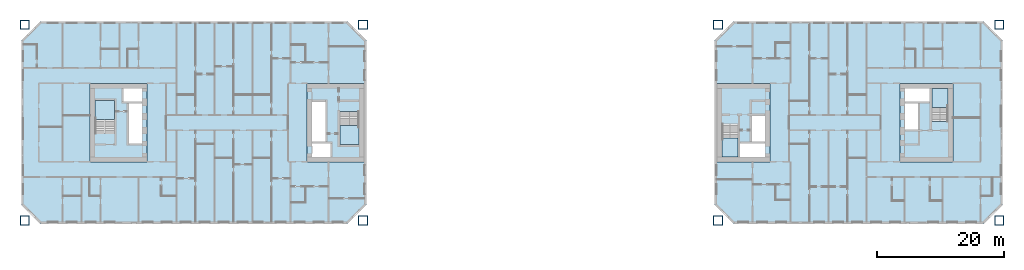
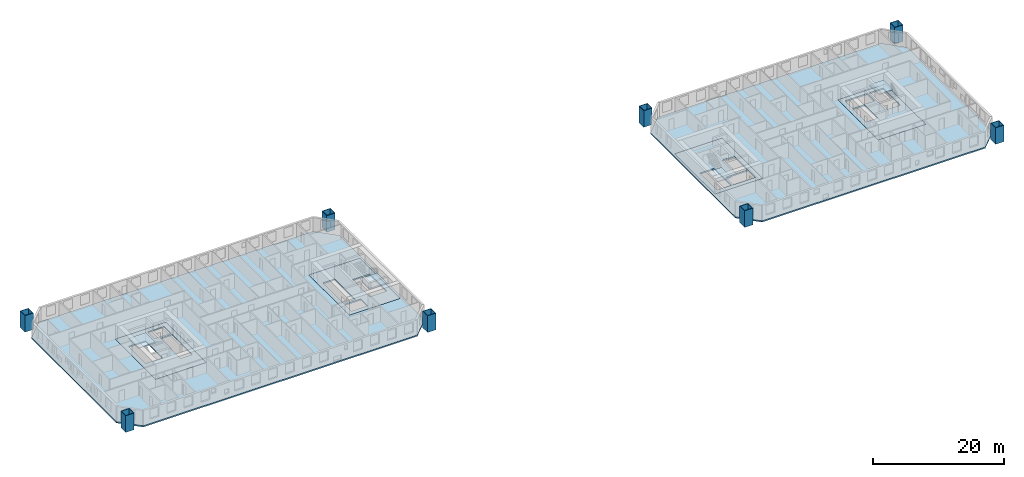
# One storey, part 1 of 17: 10 slabs, 8 columns, 4 elements without a shape of their own.
"""IFC4 building model written with IfcOpenShell, lengths in metres."""

import ifcopenshell
import ifcopenshell.guid

model = None  # the IFC model being written
_history = None  # IfcOwnerHistory: only IFC2X3 demands one
_inside = {}  # id of a spatial element -> (the spatial element, [elements in it])
_under = {}  # id of a project, library or spatial element -> (it, [spatial elements below it])
_declared = {}  # id of a project -> (the project, [libraries it declares])
_typed = {}  # id of a type object -> (the type object, [elements of that type])
_made_of = {}  # id of a material, layer set ... -> (it, [elements and type objects made of it])


def new_model(schema):
    """Start an empty IFC model of exactly this schema.

    Asked for "IFC4X3", IfcOpenShell would pick the latest addendum, in which some entities
    have other attributes; the version numbers below select the first issue.
    IFC2X3 requires an IfcOwnerHistory on every rooted entity: one is made here for all.
    """
    global model, _history
    if schema == "IFC4X3":
        model = ifcopenshell.file(schema_version=(4, 3, 0, 0))
    else:
        model = ifcopenshell.file(schema=schema)
    _inside.clear()
    _under.clear()
    _declared.clear()
    _typed.clear()
    _made_of.clear()
    _history = None
    if model.schema == "IFC2X3":
        org = make("IfcOrganization", Name="unknown")
        user = make(
            "IfcPersonAndOrganization",
            ThePerson=make("IfcPerson", FamilyName="unknown"),
            TheOrganization=org,
        )
        app = make(
            "IfcApplication",
            ApplicationDeveloper=org,
            Version="unknown",
            ApplicationFullName="unknown",
            ApplicationIdentifier="unknown",
        )
        _history = make(
            "IfcOwnerHistory",
            OwningUser=user,
            OwningApplication=app,
            ChangeAction="ADDED",
            CreationDate=0,
        )
    return model


def make(cls, **values):
    """One entity of the class cls with the attributes given. An attribute that is None is left unset."""
    return model.create_entity(
        cls, **{name: value for name, value in values.items() if value is not None}
    )


def rooted(cls, **values):
    """An entity with a GlobalId (a new one), such as an element, a storey or a relation."""
    return make(cls, GlobalId=ifcopenshell.guid.new(), OwnerHistory=_history, **values)


def si_unit(unit_type, name, prefix=None):
    """IfcSIUnit, for example si_unit("LENGTHUNIT", "METRE", prefix="MILLI")."""
    return make("IfcSIUnit", UnitType=unit_type, Prefix=prefix, Name=name)


def assignment(units):
    """IfcUnitAssignment: the units of a project."""
    return None if units is None else make("IfcUnitAssignment", Units=units)


def point(xyz):
    """IfcCartesianPoint."""
    return None if xyz is None else make("IfcCartesianPoint", Coordinates=xyz)


def direction(xyz):
    """IfcDirection."""
    return None if xyz is None else make("IfcDirection", DirectionRatios=xyz)


def frame(location, z_axis=None, x_axis=None):
    """IfcAxis2Placement3D, a coordinate frame: its origin and axes. An axis left out is left unset."""
    return make(
        "IfcAxis2Placement3D",
        Location=point(location),
        Axis=direction(z_axis),
        RefDirection=direction(x_axis),
    )


def frame_2d(location, x_axis=None):
    """IfcAxis2Placement2D, a coordinate frame in the plane: its origin and x axis."""
    return make(
        "IfcAxis2Placement2D", Location=point(location), RefDirection=direction(x_axis)
    )


def origin():
    """The frame at (0, 0, 0) with its axes left unset."""
    return frame((0.0, 0.0, 0.0))


def origin_2d():
    """The frame at (0, 0) in the plane with its x axis left unset."""
    return frame_2d((0.0, 0.0))


def place(relative_to, where):
    """IfcLocalPlacement: puts the frame where relative to a parent placement (None: the world)."""
    return make(
        "IfcLocalPlacement", PlacementRelTo=relative_to, RelativePlacement=where
    )


def context(
    kind, dimensions, precision=None, world=None, true_north=None, identifier=None
):
    """IfcGeometricRepresentationContext, for example the 3D "Model" context."""
    return make(
        "IfcGeometricRepresentationContext",
        ContextIdentifier=identifier,
        ContextType=kind,
        CoordinateSpaceDimension=dimensions,
        Precision=precision,
        WorldCoordinateSystem=world,
        TrueNorth=true_north,
    )


def subcontext(parent, identifier, kind, view, scale=None):
    """IfcGeometricRepresentationSubContext, for example "Body" below "Model"."""
    return make(
        "IfcGeometricRepresentationSubContext",
        ContextIdentifier=identifier,
        ContextType=kind,
        ParentContext=parent,
        TargetScale=scale,
        TargetView=view,
    )


def project(units=None, contexts=None):
    """IfcProject with its units and contexts."""
    return rooted(
        "IfcProject",
        Name="project",
        RepresentationContexts=contexts,
        UnitsInContext=assignment(units),
    )


def spatial(cls, under=None, at=None, **own):
    """A site, building, storey or space (cls), placed at a placement, below another one or the project."""
    s = rooted(cls, ObjectPlacement=at, **own)
    if under is not None:
        _under.setdefault(under.id(), (under, []))[1].append(s)
    return s


def polyline(points):
    """IfcPolyline through the points."""
    return make("IfcPolyline", Points=[point(p) for p in points])


def profile(cls, at=None, kind="AREA", **sizes):
    """A parametric profile (cls). Its sizes go by their IFC names, for example OverallWidth=200.0."""
    return make(cls, ProfileType=kind, Position=at, **sizes)


def hollow_rectangle(**sizes):
    """IfcRectangleHollowProfileDef."""
    return profile("IfcRectangleHollowProfileDef", **sizes)


def outline(outer, holes=None, kind="AREA"):
    """IfcArbitraryClosedProfileDef: a profile drawn as a closed curve; with holes, ...WithVoids."""
    if holes is None:
        return make("IfcArbitraryClosedProfileDef", ProfileType=kind, OuterCurve=outer)
    return make(
        "IfcArbitraryProfileDefWithVoids",
        ProfileType=kind,
        OuterCurve=outer,
        InnerCurves=holes,
    )


def extrude(swept, where, along, depth):
    """IfcExtrudedAreaSolid: the profile swept, set in the frame where, extruded along a direction by depth."""
    return make(
        "IfcExtrudedAreaSolid",
        SweptArea=swept,
        Position=where,
        ExtrudedDirection=direction(along),
        Depth=depth,
    )


def shape(context_of_items, identifier, shape_type, items):
    """IfcShapeRepresentation: the items that make up one representation, for example the "Body"."""
    return make(
        "IfcShapeRepresentation",
        ContextOfItems=context_of_items,
        RepresentationIdentifier=identifier,
        RepresentationType=shape_type,
        Items=items,
    )


def material(Name=None, Category=None):
    """IfcMaterial."""
    return make("IfcMaterial", Name=Name, Category=Category)


def layer(
    of_material, thickness, ventilated=None, Name=None, Category=None, Priority=None
):
    """IfcMaterialLayer: one layer of a wall or slab, of a material (None: an air gap)."""
    return make(
        "IfcMaterialLayer",
        Material=of_material,
        LayerThickness=thickness,
        IsVentilated=ventilated,
        Name=Name,
        Category=Category,
        Priority=Priority,
    )


def layer_set(layers, Name=None):
    """IfcMaterialLayerSet."""
    return make("IfcMaterialLayerSet", MaterialLayers=layers, LayerSetName=Name)


def material_profile(
    of_material, cross_section, Name=None, Category=None, Priority=None
):
    """IfcMaterialProfile: a cross section and its material."""
    return make(
        "IfcMaterialProfile",
        Name=Name,
        Material=of_material,
        Profile=cross_section,
        Priority=Priority,
        Category=Category,
    )


def profile_set(profiles, Name=None, composite=None):
    """IfcMaterialProfileSet."""
    return make(
        "IfcMaterialProfileSet",
        Name=Name,
        MaterialProfiles=profiles,
        CompositeProfile=composite,
    )


def made_of(thing, what):
    """Note that an element or type object is made of a material, layer set ...; save() writes the relation."""
    if what is not None:
        _made_of.setdefault(what.id(), (what, []))[1].append(thing)
    return thing


def type_object(cls, material=None, **own):
    """A type object (cls), such as IfcWallType, which elements share."""
    return made_of(rooted(cls, **own), material)


def element(
    cls,
    number,
    at=None,
    inside=None,
    cuts=None,
    type_object=None,
    material=None,
    context=None,
    identifier="Body",
    shape_type=None,
    held_by="IfcProductDefinitionShape",
    body=None,
    shapes=None,
    **own,
):
    """One element of the class cls, such as IfcWall. Its Tag is "e" and its number.

    at: its placement. inside: the storey or other place that contains it. cuts: it is an
    opening in that element (IfcRelVoidsElement). A single representation is given by context,
    identifier, shape_type and body (its items); several are given by shapes. held_by: the class
    of the entity that holds the representations. save() writes the other relations.
    """
    e = rooted(cls, Tag="e%d" % number, ObjectPlacement=at, **own)
    if body is not None:
        shapes = [shape(context, identifier, shape_type, body)]
    if shapes is not None:
        e.Representation = make(held_by, Representations=shapes)
    if inside is not None:
        _inside.setdefault(inside.id(), (inside, []))[1].append(e)
    if cuts is not None:
        rooted(
            "IfcRelVoidsElement", RelatingBuildingElement=cuts, RelatedOpeningElement=e
        )
    if type_object is not None:
        _typed.setdefault(type_object.id(), (type_object, []))[1].append(e)
    return made_of(e, material)


def aggregate(whole, parts):
    """IfcRelAggregates: a whole, such as a stair, and the parts it consists of."""
    return rooted("IfcRelAggregates", RelatingObject=whole, RelatedObjects=parts)


def save(model, path):
    """Write the relations noted so far, then the file.

    IfcRelAggregates (storeys below a building ...), IfcRelContainedInSpatialStructure (elements
    in a storey), IfcRelDefinesByType, IfcRelAssociatesMaterial and IfcRelDeclares: one each for
    every whole, place, type object, material and project.
    """
    for whole, parts in _under.values():
        aggregate(whole, parts)
    for where, things in _inside.values():
        rooted(
            "IfcRelContainedInSpatialStructure",
            RelatedElements=things,
            RelatingStructure=where,
        )
    for kind, things in _typed.values():
        rooted("IfcRelDefinesByType", RelatedObjects=things, RelatingType=kind)
    for what, things in _made_of.values():
        rooted("IfcRelAssociatesMaterial", RelatedObjects=things, RelatingMaterial=what)
    for by, libraries in _declared.values():
        rooted("IfcRelDeclares", RelatingContext=by, RelatedDefinitions=libraries)
    model.write(path)


model = new_model("IFC4")

# Units and contexts
model_context = context("Model", 3, precision=1e-05, world=origin(), true_north=direction((0.0, 1.0)))
body_context = subcontext(model_context, "Body", "Model", "MODEL_VIEW")
ifc_project = project(units=[si_unit("LENGTHUNIT", "METRE"), si_unit("AREAUNIT", "SQUARE_METRE"), si_unit("VOLUMEUNIT", "CUBIC_METRE"), si_unit("PLANEANGLEUNIT", "RADIAN"), si_unit("MASSUNIT", "GRAM", prefix="KILO")], contexts=[model_context])

# Site, building, storey
site_placement = place(None, origin())
site = spatial("IfcSite", under=ifc_project, at=site_placement, CompositionType="ELEMENT")
building_placement = place(site_placement, origin())
building = spatial("IfcBuilding", under=site, at=building_placement, Name="Tuart Gate Housing", CompositionType="ELEMENT")
storey_placement = place(building_placement, frame((0.0, 0.0, 53.60009765625)))
storey = spatial("IfcBuildingStorey", under=building, at=storey_placement, Name="L14", CompositionType="ELEMENT", Elevation=53.60009765625)

# Columns
ifc_material_1 = material(Name="Steel Grade 350", Category="steel")
ifc_material_profile = material_profile(ifc_material_1, hollow_rectangle(XDim=1.5, YDim=1.5, WallThickness=0.080078125, at=origin_2d()), Name="BOX 1500x1500x80")
ifc_profile_set = profile_set([ifc_material_profile], Name="Steel Grade 350")
column_type = type_object("IfcColumnType", Name="Mega column BOX 1500x1500x80", PredefinedType="COLUMN", material=ifc_profile_set)
for number, where, z_axis, x_axis, name in (
    (1, (22.050048828125, 54.550048828125, 0.0), (0.0, 0.0, 1.0), (1.0, 0.0, 0.0), "Mega column A south-west L14"),
    (2, (75.449951171875, 54.550048828125, 0.0), (0.0, 0.0, 1.0), (1.0, 0.0, 0.0), "Mega column A south-east L14"),
    (3, (75.449951171875, 85.449951171875, 0.0), (0.0, 0.0, 1.0), (1.0, 0.0, 0.0), "Mega column A north-east L14"),
    (4, (22.050048828125, 85.449951171875, 0.0), (0.0, 0.0, 1.0), (1.0, 0.0, 0.0), "Mega column A north-west L14"),
    (5, (131.550048828125, 54.550048828125, 0.0), (0.0, 0.0, 1.0), (1.0, 0.0, 0.0), "Mega column B south-west L14"),
    (6, (175.949951171875, 54.550048828125, 0.0), (0.0, 0.0, 1.0), (1.0, 0.0, 0.0), "Mega column B south-east L14"),
    (7, (175.949951171875, 85.449951171875, 0.0), (0.0, 0.0, 1.0), (1.0, 0.0, 0.0), "Mega column B north-east L14"),
    (8, (131.550048828125, 85.449951171875, 0.0), (0.0, 0.0, 1.0), (1.0, 0.0, 0.0), "Mega column B north-west L14"),
):
    element("IfcColumn", number, at=place(storey_placement, frame(where, z_axis=z_axis, x_axis=x_axis)), inside=storey, type_object=column_type, Name=name, PredefinedType="COLUMN", context=body_context, shape_type="SweptSolid", body=[
        extrude(hollow_rectangle(XDim=1.5, YDim=1.5, WallThickness=0.080078125, at=origin_2d()), origin(), (0.0, 0.0, 1.0), 3.099853515625),
    ])

# Slabs
ifc_material_2 = material(Name="Concrete C40", Category="concrete")
ifc_layer_1 = layer(ifc_material_2, 0.25)
ifc_layer_set_1 = layer_set([ifc_layer_1], Name="Core floor slab 250")
slab_type_1 = type_object("IfcSlabType", Name="Core floor slab 250", PredefinedType="FLOOR", material=ifc_layer_set_1)
slab_1_placement = place(storey_placement, frame((0.0, 0.0, -0.25)))
element("IfcSlab", 9, at=slab_1_placement, inside=storey, type_object=slab_type_1, Name="Core floor AG", PredefinedType="FLOOR", context=body_context, shape_type="SweptSolid", body=[
    extrude(outline(polyline([(66.639892578125, 63.800048828125), (75.639892578125, 63.800048828125), (75.639892578125, 76.199951171875), (66.639892578125, 76.199951171875), (66.639892578125, 63.800048828125)]), holes=[polyline([(67.43994140625, 64.60009765625), (70.3349609375, 64.60009765625), (70.3349609375, 66.675048828125), (67.43994140625, 66.675048828125), (67.43994140625, 64.60009765625)]), polyline([(67.43994140625, 67.02490234375), (69.514892578125, 67.02490234375), (69.514892578125, 73.27490234375), (67.43994140625, 73.27490234375), (67.43994140625, 67.02490234375)]), polyline([(71.81494140625, 66.52490234375), (74.840087890625, 66.52490234375), (74.840087890625, 71.7548828125), (71.81494140625, 71.7548828125), (71.81494140625, 66.52490234375)])]), origin(), (0.0, 0.0, 1.0), 0.25),
])
slab_2_placement = place(storey_placement, frame((0.0, 0.0, -0.25)))
element("IfcSlab", 10, at=slab_2_placement, inside=storey, type_object=slab_type_1, Name="Core floor AK", PredefinedType="FLOOR", context=body_context, shape_type="SweptSolid", body=[
    extrude(outline(polyline([(32.360107421875, 63.800048828125), (41.360107421875, 63.800048828125), (41.360107421875, 76.199951171875), (32.360107421875, 76.199951171875), (32.360107421875, 63.800048828125)]), holes=[polyline([(40.56005859375, 75.39990234375), (37.6650390625, 75.39990234375), (37.6650390625, 73.324951171875), (40.56005859375, 73.324951171875), (40.56005859375, 75.39990234375)]), polyline([(40.56005859375, 72.97509765625), (38.485107421875, 72.97509765625), (38.485107421875, 66.72509765625), (40.56005859375, 66.72509765625), (40.56005859375, 72.97509765625)]), polyline([(36.18505859375, 73.47509765625), (33.159912109375, 73.47509765625), (33.159912109375, 68.2451171875), (36.18505859375, 68.2451171875), (36.18505859375, 73.47509765625)])]), origin(), (0.0, 0.0, 1.0), 0.25),
])
slab_3_placement = place(storey_placement, frame((0.0, 0.0, -0.25)))
element("IfcSlab", 11, at=slab_3_placement, inside=storey, type_object=slab_type_1, Name="Core floor BG", PredefinedType="FLOOR", context=body_context, shape_type="SweptSolid", body=[
    extrude(outline(polyline([(131.360107421875, 63.800048828125), (139.760009765625, 63.800048828125), (139.760009765625, 76.199951171875), (131.360107421875, 76.199951171875), (131.360107421875, 63.800048828125)]), holes=[polyline([(138.9599609375, 66.85009765625), (135.034912109375, 66.85009765625), (135.034912109375, 64.60009765625), (138.9599609375, 64.60009765625), (138.9599609375, 66.85009765625)]), polyline([(138.9599609375, 71.074951171875), (136.885009765625, 71.074951171875), (136.885009765625, 67.02490234375), (138.9599609375, 67.02490234375), (138.9599609375, 71.074951171875)]), polyline([(134.68505859375, 69.804931640625), (132.159912109375, 69.804931640625), (132.159912109375, 64.60009765625), (134.68505859375, 64.60009765625), (134.68505859375, 69.804931640625)])]), origin(), (0.0, 0.0, 1.0), 0.25),
])
slab_4_placement = place(storey_placement, frame((0.0, 0.0, -0.25)))
element("IfcSlab", 12, at=slab_4_placement, inside=storey, type_object=slab_type_1, Name="Core floor BK", PredefinedType="FLOOR", context=body_context, shape_type="SweptSolid", body=[
    extrude(outline(polyline([(160.239990234375, 63.800048828125), (168.639892578125, 63.800048828125), (168.639892578125, 76.199951171875), (160.239990234375, 76.199951171875), (160.239990234375, 63.800048828125)]), holes=[polyline([(161.0400390625, 73.14990234375), (164.965087890625, 73.14990234375), (164.965087890625, 75.39990234375), (161.0400390625, 75.39990234375), (161.0400390625, 73.14990234375)]), polyline([(161.0400390625, 68.925048828125), (163.114990234375, 68.925048828125), (163.114990234375, 72.97509765625), (161.0400390625, 72.97509765625), (161.0400390625, 68.925048828125)]), polyline([(165.31494140625, 70.195068359375), (167.840087890625, 70.195068359375), (167.840087890625, 75.39990234375), (165.31494140625, 75.39990234375), (165.31494140625, 70.195068359375)])]), origin(), (0.0, 0.0, 1.0), 0.25),
])
ifc_material_3 = material(Name="Concrete C40", Category="concrete")
ifc_layer_2 = layer(ifc_material_3, 0.25)
ifc_layer_set_2 = layer_set([ifc_layer_2], Name="Flat plate 250")
slab_type_2 = type_object("IfcSlabType", Name="Flat plate 250", PredefinedType="FLOOR", material=ifc_layer_set_2)
slab_5_placement = place(storey_placement, frame((0.0, 0.0, -0.25)))
element("IfcSlab", 13, at=slab_5_placement, inside=storey, type_object=slab_type_2, Name="Floor slab A L14", PredefinedType="FLOOR", context=body_context, shape_type="SweptSolid", body=[
    extrude(outline(polyline([(24.5, 86.0), (21.5, 83.0), (21.5, 57.0), (24.5, 54.0), (73.0, 54.0), (76.0, 57.0), (76.0, 83.0), (73.0, 86.0), (24.5, 86.0)]), holes=[polyline([(66.639892578125, 76.199951171875), (75.639892578125, 76.199951171875), (75.639892578125, 63.800048828125), (66.639892578125, 63.800048828125), (66.639892578125, 76.199951171875)]), polyline([(41.360107421875, 76.199951171875), (41.360107421875, 63.800048828125), (32.360107421875, 63.800048828125), (32.360107421875, 76.199951171875), (41.360107421875, 76.199951171875)])]), origin(), (0.0, 0.0, 1.0), 0.25),
])
slab_6_placement = place(storey_placement, frame((0.0, 0.0, -0.25)))
element("IfcSlab", 14, at=slab_6_placement, inside=storey, type_object=slab_type_2, Name="Floor slab B L14", PredefinedType="FLOOR", context=body_context, shape_type="SweptSolid", body=[
    extrude(outline(polyline([(134.0, 86.0), (131.0, 83.0), (131.0, 57.0), (134.0, 54.0), (173.5, 54.0), (176.5, 57.0), (176.5, 83.0), (173.5, 86.0), (134.0, 86.0)]), holes=[polyline([(131.360107421875, 76.199951171875), (139.760009765625, 76.199951171875), (139.760009765625, 63.800048828125), (131.360107421875, 63.800048828125), (131.360107421875, 76.199951171875)]), polyline([(168.639892578125, 76.199951171875), (168.639892578125, 63.800048828125), (160.239990234375, 63.800048828125), (160.239990234375, 76.199951171875), (168.639892578125, 76.199951171875)])]), origin(), (0.0, 0.0, 1.0), 0.25),
])

# Stair, slab
ifc_material_4 = material(Name="Concrete C40", Category="concrete")
stair_type_1 = type_object("IfcStairType", Name="Core stair 1500", PredefinedType="HALF_TURN_STAIR", material=ifc_material_4)
stair_1_placement = place(storey_placement, origin())
stair_1 = element("IfcStair", 15, at=stair_1_placement, inside=storey, type_object=stair_type_1, Name="Stair SA1", PredefinedType="HALF_TURN_STAIR")
ifc_material_5 = material(Name="Concrete C40", Category="concrete")
ifc_layer_3 = layer(ifc_material_5, 0.199951171875)
ifc_layer_set_3 = layer_set([ifc_layer_3], Name="Stair landing 200")
slab_type_3 = type_object("IfcSlabType", Name="Stair landing 200", PredefinedType="LANDING", material=ifc_layer_set_3)
slab_7_placement = place(storey_placement, frame((0.0, 0.0, 1.349853515625)))
slab_7 = element("IfcSlab", 16, at=slab_7_placement, type_object=slab_type_3, Name="SA1 landing 1", PredefinedType="LANDING", context=body_context, shape_type="SweptSolid", body=[
    extrude(outline(polyline([(71.81494140625, 66.52490234375), (74.840087890625, 66.52490234375), (74.840087890625, 69.534912109375), (71.81494140625, 69.534912109375), (71.81494140625, 66.52490234375)])), origin(), (0.0, 0.0, 1.0), 0.199951171875),
])
aggregate(stair_1, [slab_7])

stair_2_placement = place(storey_placement, origin())
stair_2 = element("IfcStair", 17, at=stair_2_placement, inside=storey, type_object=stair_type_1, Name="Stair SA2", PredefinedType="HALF_TURN_STAIR")
slab_8_placement = place(storey_placement, frame((0.0, 0.0, 1.349853515625)))
slab_8 = element("IfcSlab", 18, at=slab_8_placement, type_object=slab_type_3, Name="SA2 landing 1", PredefinedType="LANDING", context=body_context, shape_type="SweptSolid", body=[
    extrude(outline(polyline([(36.18505859375, 73.47509765625), (33.159912109375, 73.47509765625), (33.159912109375, 70.465087890625), (36.18505859375, 70.465087890625), (36.18505859375, 73.47509765625)])), origin(), (0.0, 0.0, 1.0), 0.199951171875),
])
aggregate(stair_2, [slab_8])

ifc_material_6 = material(Name="Concrete C40", Category="concrete")
stair_type_2 = type_object("IfcStairType", Name="Core stair 1250", PredefinedType="HALF_TURN_STAIR", material=ifc_material_6)
stair_3_placement = place(storey_placement, origin())
stair_3 = element("IfcStair", 19, at=stair_3_placement, inside=storey, type_object=stair_type_2, Name="Stair SB1", PredefinedType="HALF_TURN_STAIR")
slab_9_placement = place(storey_placement, frame((0.0, 0.0, 1.349853515625)))
slab_9 = element("IfcSlab", 20, at=slab_9_placement, type_object=slab_type_3, Name="SB1 landing 1", PredefinedType="LANDING", context=body_context, shape_type="SweptSolid", body=[
    extrude(outline(polyline([(134.68505859375, 67.5849609375), (132.159912109375, 67.5849609375), (132.159912109375, 64.60009765625), (134.68505859375, 64.60009765625), (134.68505859375, 67.5849609375)])), origin(), (0.0, 0.0, 1.0), 0.199951171875),
])
aggregate(stair_3, [slab_9])

stair_4_placement = place(storey_placement, origin())
stair_4 = element("IfcStair", 21, at=stair_4_placement, inside=storey, type_object=stair_type_2, Name="Stair SB2", PredefinedType="HALF_TURN_STAIR")
slab_10_placement = place(storey_placement, frame((0.0, 0.0, 1.349853515625)))
slab_10 = element("IfcSlab", 22, at=slab_10_placement, type_object=slab_type_3, Name="SB2 landing 1", PredefinedType="LANDING", context=body_context, shape_type="SweptSolid", body=[
    extrude(outline(polyline([(165.31494140625, 72.4150390625), (167.840087890625, 72.4150390625), (167.840087890625, 75.39990234375), (165.31494140625, 75.39990234375), (165.31494140625, 72.4150390625)])), origin(), (0.0, 0.0, 1.0), 0.199951171875),
])
aggregate(stair_4, [slab_10])

save(model, "model.ifc")
